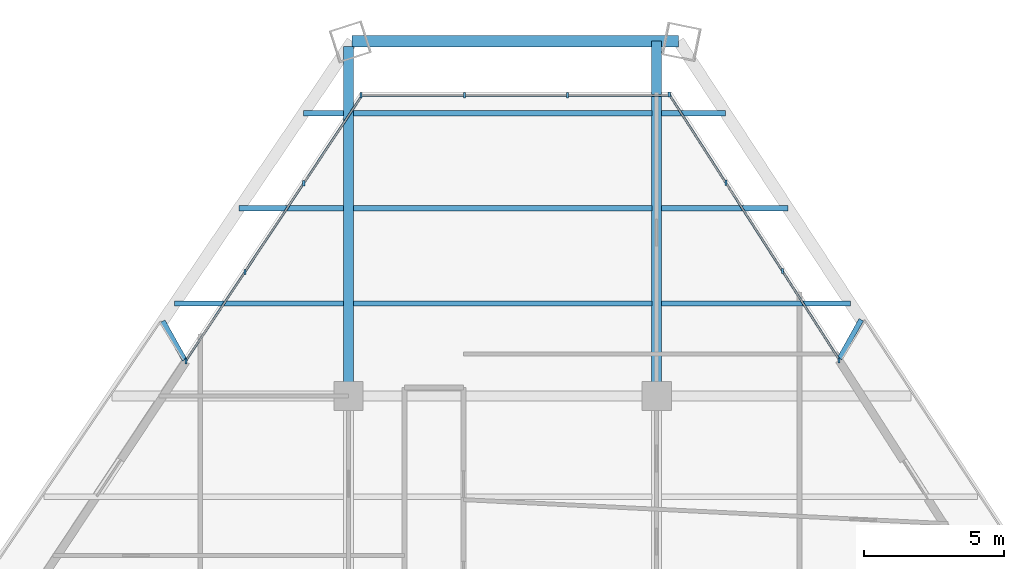
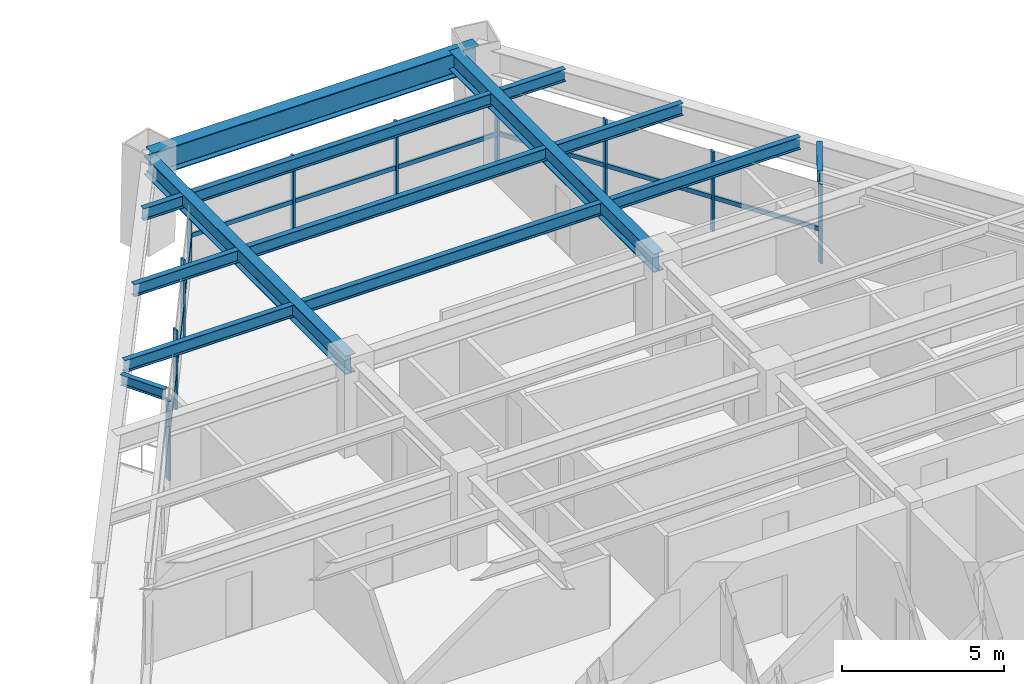
# One storey, part 8 of 14: 20 members, 14 beams, 3 elements without a shape of their own.
"""IFC4 building model written with IfcOpenShell, lengths in metres."""

import ifcopenshell
import ifcopenshell.guid

model = None  # the IFC model being written
_history = None  # IfcOwnerHistory: only IFC2X3 demands one
_inside = {}  # id of a spatial element -> (the spatial element, [elements in it])
_under = {}  # id of a project, library or spatial element -> (it, [spatial elements below it])
_declared = {}  # id of a project -> (the project, [libraries it declares])
_typed = {}  # id of a type object -> (the type object, [elements of that type])
_made_of = {}  # id of a material, layer set ... -> (it, [elements and type objects made of it])


def new_model(schema):
    """Start an empty IFC model of exactly this schema.

    Asked for "IFC4X3", IfcOpenShell would pick the latest addendum, in which some entities
    have other attributes; the version numbers below select the first issue.
    IFC2X3 requires an IfcOwnerHistory on every rooted entity: one is made here for all.
    """
    global model, _history
    if schema == "IFC4X3":
        model = ifcopenshell.file(schema_version=(4, 3, 0, 0))
    else:
        model = ifcopenshell.file(schema=schema)
    _inside.clear()
    _under.clear()
    _declared.clear()
    _typed.clear()
    _made_of.clear()
    _history = None
    if model.schema == "IFC2X3":
        org = make("IfcOrganization", Name="unknown")
        user = make(
            "IfcPersonAndOrganization",
            ThePerson=make("IfcPerson", FamilyName="unknown"),
            TheOrganization=org,
        )
        app = make(
            "IfcApplication",
            ApplicationDeveloper=org,
            Version="unknown",
            ApplicationFullName="unknown",
            ApplicationIdentifier="unknown",
        )
        _history = make(
            "IfcOwnerHistory",
            OwningUser=user,
            OwningApplication=app,
            ChangeAction="ADDED",
            CreationDate=0,
        )
    return model


def make(cls, **values):
    """One entity of the class cls with the attributes given. An attribute that is None is left unset."""
    return model.create_entity(
        cls, **{name: value for name, value in values.items() if value is not None}
    )


def rooted(cls, **values):
    """An entity with a GlobalId (a new one), such as an element, a storey or a relation."""
    return make(cls, GlobalId=ifcopenshell.guid.new(), OwnerHistory=_history, **values)


def si_unit(unit_type, name, prefix=None):
    """IfcSIUnit, for example si_unit("LENGTHUNIT", "METRE", prefix="MILLI")."""
    return make("IfcSIUnit", UnitType=unit_type, Prefix=prefix, Name=name)


def assignment(units):
    """IfcUnitAssignment: the units of a project."""
    return None if units is None else make("IfcUnitAssignment", Units=units)


def point(xyz):
    """IfcCartesianPoint."""
    return None if xyz is None else make("IfcCartesianPoint", Coordinates=xyz)


def direction(xyz):
    """IfcDirection."""
    return None if xyz is None else make("IfcDirection", DirectionRatios=xyz)


def frame(location, z_axis=None, x_axis=None):
    """IfcAxis2Placement3D, a coordinate frame: its origin and axes. An axis left out is left unset."""
    return make(
        "IfcAxis2Placement3D",
        Location=point(location),
        Axis=direction(z_axis),
        RefDirection=direction(x_axis),
    )


def frame_2d(location, x_axis=None):
    """IfcAxis2Placement2D, a coordinate frame in the plane: its origin and x axis."""
    return make(
        "IfcAxis2Placement2D", Location=point(location), RefDirection=direction(x_axis)
    )


def origin():
    """The frame at (0, 0, 0) with its axes left unset."""
    return frame((0.0, 0.0, 0.0))


def origin_2d():
    """The frame at (0, 0) in the plane with its x axis left unset."""
    return frame_2d((0.0, 0.0))


def place(relative_to, where):
    """IfcLocalPlacement: puts the frame where relative to a parent placement (None: the world)."""
    return make(
        "IfcLocalPlacement", PlacementRelTo=relative_to, RelativePlacement=where
    )


def context(
    kind, dimensions, precision=None, world=None, true_north=None, identifier=None
):
    """IfcGeometricRepresentationContext, for example the 3D "Model" context."""
    return make(
        "IfcGeometricRepresentationContext",
        ContextIdentifier=identifier,
        ContextType=kind,
        CoordinateSpaceDimension=dimensions,
        Precision=precision,
        WorldCoordinateSystem=world,
        TrueNorth=true_north,
    )


def subcontext(parent, identifier, kind, view, scale=None):
    """IfcGeometricRepresentationSubContext, for example "Body" below "Model"."""
    return make(
        "IfcGeometricRepresentationSubContext",
        ContextIdentifier=identifier,
        ContextType=kind,
        ParentContext=parent,
        TargetScale=scale,
        TargetView=view,
    )


def project(units=None, contexts=None):
    """IfcProject with its units and contexts."""
    return rooted(
        "IfcProject",
        Name="project",
        RepresentationContexts=contexts,
        UnitsInContext=assignment(units),
    )


def spatial(cls, under=None, at=None, **own):
    """A site, building, storey or space (cls), placed at a placement, below another one or the project."""
    s = rooted(cls, ObjectPlacement=at, **own)
    if under is not None:
        _under.setdefault(under.id(), (under, []))[1].append(s)
    return s


def profile(cls, at=None, kind="AREA", **sizes):
    """A parametric profile (cls). Its sizes go by their IFC names, for example OverallWidth=200.0."""
    return make(cls, ProfileType=kind, Position=at, **sizes)


def rectangle(**sizes):
    """IfcRectangleProfileDef."""
    return profile("IfcRectangleProfileDef", **sizes)


def i_section(**sizes):
    """IfcIShapeProfileDef."""
    return profile("IfcIShapeProfileDef", **sizes)


def extrude(swept, where, along, depth):
    """IfcExtrudedAreaSolid: the profile swept, set in the frame where, extruded along a direction by depth."""
    return make(
        "IfcExtrudedAreaSolid",
        SweptArea=swept,
        Position=where,
        ExtrudedDirection=direction(along),
        Depth=depth,
    )


def shape(context_of_items, identifier, shape_type, items):
    """IfcShapeRepresentation: the items that make up one representation, for example the "Body"."""
    return make(
        "IfcShapeRepresentation",
        ContextOfItems=context_of_items,
        RepresentationIdentifier=identifier,
        RepresentationType=shape_type,
        Items=items,
    )


def source(mapping_origin, context_of_items, identifier, shape_type, items):
    """IfcRepresentationMap: a shape defined once, which mapped items show again and again."""
    return make(
        "IfcRepresentationMap",
        MappingOrigin=mapping_origin,
        MappedRepresentation=shape(context_of_items, identifier, shape_type, items),
    )


def transform(
    local_origin,
    x_axis=None,
    y_axis=None,
    z_axis=None,
    scale=None,
    scale2=None,
    scale3=None,
    uniform=True,
):
    """IfcCartesianTransformationOperator3D, or its non-uniform kind. x_axis, y_axis, z_axis: its Axis1, 2, 3."""
    if uniform:
        return make(
            "IfcCartesianTransformationOperator3D",
            Axis1=direction(x_axis),
            Axis2=direction(y_axis),
            LocalOrigin=point(local_origin),
            Scale=scale,
            Axis3=direction(z_axis),
        )
    return make(
        "IfcCartesianTransformationOperator3DnonUniform",
        Axis1=direction(x_axis),
        Axis2=direction(y_axis),
        LocalOrigin=point(local_origin),
        Scale=scale,
        Axis3=direction(z_axis),
        Scale2=scale2,
        Scale3=scale3,
    )


def mapped(mapping_source, mapping_target):
    """IfcMappedItem: shows the shape of a source again, moved by a transform."""
    return make(
        "IfcMappedItem", MappingSource=mapping_source, MappingTarget=mapping_target
    )


def material(Name=None, Category=None):
    """IfcMaterial."""
    return make("IfcMaterial", Name=Name, Category=Category)


def material_profile(
    of_material, cross_section, Name=None, Category=None, Priority=None
):
    """IfcMaterialProfile: a cross section and its material."""
    return make(
        "IfcMaterialProfile",
        Name=Name,
        Material=of_material,
        Profile=cross_section,
        Priority=Priority,
        Category=Category,
    )


def profile_set(profiles, Name=None, composite=None):
    """IfcMaterialProfileSet."""
    return make(
        "IfcMaterialProfileSet",
        Name=Name,
        MaterialProfiles=profiles,
        CompositeProfile=composite,
    )


def made_of(thing, what):
    """Note that an element or type object is made of a material, layer set ...; save() writes the relation."""
    if what is not None:
        _made_of.setdefault(what.id(), (what, []))[1].append(thing)
    return thing


def type_object(cls, material=None, **own):
    """A type object (cls), such as IfcWallType, which elements share."""
    return made_of(rooted(cls, **own), material)


def element(
    cls,
    number,
    at=None,
    inside=None,
    cuts=None,
    type_object=None,
    material=None,
    context=None,
    identifier="Body",
    shape_type=None,
    held_by="IfcProductDefinitionShape",
    body=None,
    shapes=None,
    **own,
):
    """One element of the class cls, such as IfcWall. Its Tag is "e" and its number.

    at: its placement. inside: the storey or other place that contains it. cuts: it is an
    opening in that element (IfcRelVoidsElement). A single representation is given by context,
    identifier, shape_type and body (its items); several are given by shapes. held_by: the class
    of the entity that holds the representations. save() writes the other relations.
    """
    e = rooted(cls, Tag="e%d" % number, ObjectPlacement=at, **own)
    if body is not None:
        shapes = [shape(context, identifier, shape_type, body)]
    if shapes is not None:
        e.Representation = make(held_by, Representations=shapes)
    if inside is not None:
        _inside.setdefault(inside.id(), (inside, []))[1].append(e)
    if cuts is not None:
        rooted(
            "IfcRelVoidsElement", RelatingBuildingElement=cuts, RelatedOpeningElement=e
        )
    if type_object is not None:
        _typed.setdefault(type_object.id(), (type_object, []))[1].append(e)
    return made_of(e, material)


def aggregate(whole, parts):
    """IfcRelAggregates: a whole, such as a stair, and the parts it consists of."""
    return rooted("IfcRelAggregates", RelatingObject=whole, RelatedObjects=parts)


def save(model, path):
    """Write the relations noted so far, then the file.

    IfcRelAggregates (storeys below a building ...), IfcRelContainedInSpatialStructure (elements
    in a storey), IfcRelDefinesByType, IfcRelAssociatesMaterial and IfcRelDeclares: one each for
    every whole, place, type object, material and project.
    """
    for whole, parts in _under.values():
        aggregate(whole, parts)
    for where, things in _inside.values():
        rooted(
            "IfcRelContainedInSpatialStructure",
            RelatedElements=things,
            RelatingStructure=where,
        )
    for kind, things in _typed.values():
        rooted("IfcRelDefinesByType", RelatedObjects=things, RelatingType=kind)
    for what, things in _made_of.values():
        rooted("IfcRelAssociatesMaterial", RelatedObjects=things, RelatingMaterial=what)
    for by, libraries in _declared.values():
        rooted("IfcRelDeclares", RelatingContext=by, RelatedDefinitions=libraries)
    model.write(path)


model = new_model("IFC4")

# Units and contexts
model_context = context("Model", 3, precision=1e-05, world=origin(), true_north=direction((0.0, 1.0)))
body_context = subcontext(model_context, "Body", "Model", "MODEL_VIEW")
ifc_project = project(units=[si_unit("LENGTHUNIT", "METRE"), si_unit("AREAUNIT", "SQUARE_METRE"), si_unit("VOLUMEUNIT", "CUBIC_METRE"), si_unit("PLANEANGLEUNIT", "RADIAN"), si_unit("MASSUNIT", "GRAM", prefix="KILO")], contexts=[model_context])

# Site, building, storey
site_placement = place(None, origin())
site = spatial("IfcSite", under=ifc_project, at=site_placement, CompositionType="ELEMENT")
building_placement = place(site_placement, origin())
building = spatial("IfcBuilding", under=site, at=building_placement, Name="Varnakhor Terracotta Tower", CompositionType="ELEMENT")
storey_placement = place(building_placement, frame((0.0, 0.0, 117.300048828125)))
storey = spatial("IfcBuildingStorey", under=building, at=storey_placement, Name="L29", CompositionType="ELEMENT", Elevation=117.300048828125)

# Beams
ifc_material_1 = material(Name="Steel S355", Category="steel")
ifc_material_profile_1 = material_profile(ifc_material_1, i_section(OverallWidth=0.19189453125, OverallDepth=0.462890625, WebThickness=0.010498046875, FlangeThickness=0.017578125, FilletRadius=0.01806640625, at=origin_2d()), Name="W18X60")
ifc_profile_set_1 = profile_set([ifc_material_profile_1], Name="Steel S355")
beam_type_1 = type_object("IfcBeamType", Name="JST-W18X60", PredefinedType="JOIST", material=ifc_profile_set_1)
shared_shape_1 = source(origin(), body_context, "Body", "SweptSolid", [
    extrude(i_section(OverallWidth=0.19189453125, OverallDepth=0.462890625, WebThickness=0.010498046875, FlangeThickness=0.017578125, FilletRadius=0.01806640625, at=origin_2d()), origin(), (0.0, 0.0, 1.0), 10.65283203125),
])
for number, where, z_axis, x_axis, name in (
    (1, (-5.326416015625, 34.800048828125, 3.1884765625), (1.0, 0.0, 0.0), (0.0, 1.0, 0.0), "L29 Composite Floor Joist 7-2"),
    (2, (-5.326416015625, 38.199951171875, 3.1884765625), (1.0, 0.0, 0.0), (0.0, 1.0, 0.0), "L29 Composite Floor Joist 8-2"),
    (3, (-5.326416015625, 41.60009765625, 3.1884765625), (1.0, 0.0, 0.0), (0.0, 1.0, 0.0), "L29 Composite Floor Joist 9-2"),
):
    element("IfcBeam", number, at=place(storey_placement, frame(where, z_axis=z_axis, x_axis=x_axis)), inside=storey, type_object=beam_type_1, Name=name, PredefinedType="JOIST", context=body_context, shape_type="MappedRepresentation", body=[
        mapped(shared_shape_1, transform((0.0, 0.0, 0.0), scale=1.0)),
    ])
ifc_material_profile_2 = material_profile(ifc_material_1, i_section(OverallWidth=0.41796875, OverallDepth=0.927001953125, WebThickness=0.01904296875, FlangeThickness=0.031982421875, FilletRadius=0.01806640625, at=origin_2d()), Name="W36X231")
ifc_profile_set_2 = profile_set([ifc_material_profile_2], Name="Steel S355")
beam_type_2 = type_object("IfcBeamType", Name="BM-W36X231", PredefinedType="BEAM", material=ifc_profile_set_2)
shared_shape_2 = source(origin(), body_context, "Body", "SweptSolid", [
    extrude(i_section(OverallWidth=0.41796875, OverallDepth=0.927001953125, WebThickness=0.01904296875, FlangeThickness=0.031982421875, FilletRadius=0.01806640625, at=origin_2d()), origin(), (0.0, 0.0, 1.0), 11.653076171875),
])
beam_1_placement = place(storey_placement, frame((6.2802734375, 44.16796875, 2.95654296875), z_axis=(-1.0, 0.0, 0.0), x_axis=(0.0, -1.0, 0.0)))
element("IfcBeam", 4, at=beam_1_placement, inside=storey, type_object=beam_type_2, Name="L29 Perimeter Spandrel 5", PredefinedType="BEAM", context=body_context, shape_type="MappedRepresentation", body=[
    mapped(shared_shape_2, transform((0.0, 0.0, 0.0), scale=1.0)),
])
ifc_material_profile_3 = material_profile(ifc_material_1, i_section(OverallWidth=0.35498046875, OverallDepth=0.695068359375, WebThickness=0.014892578125, FlangeThickness=0.02490234375, FilletRadius=0.01806640625, at=origin_2d()), Name="W27X146")
ifc_profile_set_3 = profile_set([ifc_material_profile_3], Name="Steel S355")
beam_type_3 = type_object("IfcBeamType", Name="BM-W27X146", PredefinedType="BEAM", material=ifc_profile_set_3)
shared_shape_3 = source(origin(), body_context, "Body", "SweptSolid", [
    extrude(i_section(OverallWidth=0.35498046875, OverallDepth=0.695068359375, WebThickness=0.014892578125, FlangeThickness=0.02490234375, FilletRadius=0.01806640625, at=origin_2d()), origin(), (0.0, 0.0, 1.0), 12.479736328125),
])
beam_2_placement = place(storey_placement, frame((-5.5, 31.5, 3.072509765625), z_axis=(0.0, 1.0, 0.0), x_axis=(-1.0, 0.0, 0.0)))
element("IfcBeam", 5, at=beam_2_placement, inside=storey, type_object=beam_type_3, Name="L29 Primary Girder NS3-W", PredefinedType="BEAM", context=body_context, shape_type="MappedRepresentation", body=[
    mapped(shared_shape_3, transform((0.0, 0.0, 0.0), scale=1.0)),
])
shared_shape_4 = source(origin(), body_context, "Body", "SweptSolid", [
    extrude(i_section(OverallWidth=0.35498046875, OverallDepth=0.695068359375, WebThickness=0.014892578125, FlangeThickness=0.02490234375, FilletRadius=0.01806640625, at=origin_2d()), origin(), (0.0, 0.0, 1.0), 12.66796875),
])
beam_3_placement = place(storey_placement, frame((5.5, 31.5, 3.072509765625), z_axis=(0.0, 1.0, 0.0), x_axis=(-1.0, 0.0, 0.0)))
element("IfcBeam", 6, at=beam_3_placement, inside=storey, type_object=beam_type_3, Name="L29 Primary Girder NS3-E", PredefinedType="BEAM", context=body_context, shape_type="MappedRepresentation", body=[
    mapped(shared_shape_4, transform((0.0, 0.0, 0.0), scale=1.0)),
])
shared_shape_5 = source(origin(), body_context, "Body", "SweptSolid", [
    extrude(i_section(OverallWidth=0.19189453125, OverallDepth=0.462890625, WebThickness=0.010498046875, FlangeThickness=0.017578125, FilletRadius=0.01806640625, at=origin_2d()), origin(), (0.0, 0.0, 1.0), 6.034423828125),
])
beam_4_placement = place(storey_placement, frame((-11.7080078125, 34.800048828125, 3.1884765625), z_axis=(1.0, 0.0, 0.0), x_axis=(0.0, 1.0, 0.0)))
element("IfcBeam", 7, at=beam_4_placement, inside=storey, type_object=beam_type_1, Name="L29 Composite Floor Joist 7-1", PredefinedType="JOIST", context=body_context, shape_type="MappedRepresentation", body=[
    mapped(shared_shape_5, transform((0.0, 0.0, 0.0), scale=1.0)),
])
shared_shape_6 = source(origin(), body_context, "Body", "SweptSolid", [
    extrude(i_section(OverallWidth=0.19189453125, OverallDepth=0.462890625, WebThickness=0.010498046875, FlangeThickness=0.017578125, FilletRadius=0.01806640625, at=origin_2d()), origin(), (0.0, 0.0, 1.0), 6.74951171875),
])
beam_5_placement = place(storey_placement, frame((5.673583984375, 34.800048828125, 3.1884765625), z_axis=(1.0, 0.0, 0.0), x_axis=(0.0, 1.0, 0.0)))
element("IfcBeam", 8, at=beam_5_placement, inside=storey, type_object=beam_type_1, Name="L29 Composite Floor Joist 7-3", PredefinedType="JOIST", context=body_context, shape_type="MappedRepresentation", body=[
    mapped(shared_shape_6, transform((0.0, 0.0, 0.0), scale=1.0)),
])
shared_shape_7 = source(origin(), body_context, "Body", "SweptSolid", [
    extrude(i_section(OverallWidth=0.19189453125, OverallDepth=0.462890625, WebThickness=0.010498046875, FlangeThickness=0.017578125, FilletRadius=0.01806640625, at=origin_2d()), origin(), (0.0, 0.0, 1.0), 3.735107421875),
])
beam_6_placement = place(storey_placement, frame((-9.40869140625, 38.199951171875, 3.1884765625), z_axis=(1.0, 0.0, 0.0), x_axis=(0.0, 1.0, 0.0)))
element("IfcBeam", 9, at=beam_6_placement, inside=storey, type_object=beam_type_1, Name="L29 Composite Floor Joist 8-1", PredefinedType="JOIST", context=body_context, shape_type="MappedRepresentation", body=[
    mapped(shared_shape_7, transform((0.0, 0.0, 0.0), scale=1.0)),
])
shared_shape_8 = source(origin(), body_context, "Body", "SweptSolid", [
    extrude(i_section(OverallWidth=0.19189453125, OverallDepth=0.462890625, WebThickness=0.010498046875, FlangeThickness=0.017578125, FilletRadius=0.01806640625, at=origin_2d()), origin(), (0.0, 0.0, 1.0), 4.52001953125),
])
beam_7_placement = place(storey_placement, frame((5.673583984375, 38.199951171875, 3.1884765625), z_axis=(1.0, 0.0, 0.0), x_axis=(0.0, 1.0, 0.0)))
element("IfcBeam", 10, at=beam_7_placement, inside=storey, type_object=beam_type_1, Name="L29 Composite Floor Joist 8-3", PredefinedType="JOIST", context=body_context, shape_type="MappedRepresentation", body=[
    mapped(shared_shape_8, transform((0.0, 0.0, 0.0), scale=1.0)),
])
shared_shape_9 = source(origin(), body_context, "Body", "SweptSolid", [
    extrude(i_section(OverallWidth=0.19189453125, OverallDepth=0.462890625, WebThickness=0.010498046875, FlangeThickness=0.017578125, FilletRadius=0.01806640625, at=origin_2d()), origin(), (0.0, 0.0, 1.0), 1.435791015625),
])
beam_8_placement = place(storey_placement, frame((-7.109375, 41.60009765625, 3.1884765625), z_axis=(1.0, 0.0, 0.0), x_axis=(0.0, 1.0, 0.0)))
element("IfcBeam", 11, at=beam_8_placement, inside=storey, type_object=beam_type_1, Name="L29 Composite Floor Joist 9-1", PredefinedType="JOIST", context=body_context, shape_type="MappedRepresentation", body=[
    mapped(shared_shape_9, transform((0.0, 0.0, 0.0), scale=1.0)),
])
shared_shape_10 = source(origin(), body_context, "Body", "SweptSolid", [
    extrude(i_section(OverallWidth=0.19189453125, OverallDepth=0.462890625, WebThickness=0.010498046875, FlangeThickness=0.017578125, FilletRadius=0.01806640625, at=origin_2d()), origin(), (0.0, 0.0, 1.0), 2.29052734375),
])
beam_9_placement = place(storey_placement, frame((5.673583984375, 41.60009765625, 3.1884765625), z_axis=(1.0, 0.0, 0.0), x_axis=(0.0, 1.0, 0.0)))
element("IfcBeam", 12, at=beam_9_placement, inside=storey, type_object=beam_type_1, Name="L29 Composite Floor Joist 9-3", PredefinedType="JOIST", context=body_context, shape_type="MappedRepresentation", body=[
    mapped(shared_shape_10, transform((0.0, 0.0, 0.0), scale=1.0)),
])

# Curtain wall, members
ifc_material_2 = material(Name="Anodised Aluminium Curtain Wall System", Category="aluminium")
curtain_wall_type = type_object("IfcCurtainWallType", Name="CW-SYS-LOW-OFFICE", PredefinedType="NOTDEFINED", material=ifc_material_2)
curtain_wall_1_placement = place(storey_placement, origin())
curtain_wall_1 = element("IfcCurtainWall", 13, at=curtain_wall_1_placement, inside=storey, type_object=curtain_wall_type, Name="L29 W Facet Curtain Wall 2", PredefinedType="NOTDEFINED")
ifc_material_3 = material(Name="Anodised Aluminium 6063-T6", Category="aluminium")
ifc_material_profile_4 = material_profile(ifc_material_3, rectangle(XDim=0.074951171875, YDim=0.18505859375, at=origin_2d()), Name="ALU MULLION 75x185")
ifc_profile_set_4 = profile_set([ifc_material_profile_4], Name="Anodised Aluminium 6063-T6")
member_type_1 = type_object("IfcMemberType", Name="CWM-02", PredefinedType="MULLION", material=ifc_profile_set_4)
shared_shape_11 = source(origin(), body_context, "Body", "SweptSolid", [
    extrude(rectangle(XDim=0.074951171875, YDim=0.18505859375, at=origin_2d()), origin(), (0.0, 0.0, 1.0), 3.0),
])
member_1_placement = place(storey_placement, frame((-11.2998046875, 32.7626953125, 0.0), z_axis=(0.0, 0.0, 1.0), x_axis=(1.0, 0.0, 0.0)))
member_1 = element("IfcMember", 14, at=member_1_placement, type_object=member_type_1, Name="L29 W Facet Curtain Wall 2 Mullion 1", PredefinedType="MULLION", context=body_context, shape_type="MappedRepresentation", body=[
    mapped(shared_shape_11, transform((0.0, 0.0, 0.0), scale=1.0)),
])
member_2_placement = place(storey_placement, frame((-9.19921875, 35.92919921875, 0.0), z_axis=(0.0, 0.0, 1.0), x_axis=(1.0, 0.0, 0.0)))
member_2 = element("IfcMember", 15, at=member_2_placement, type_object=member_type_1, Name="L29 W Facet Curtain Wall 2 Mullion 2", PredefinedType="MULLION", context=body_context, shape_type="MappedRepresentation", body=[
    mapped(shared_shape_11, transform((0.0, 0.0, 0.0), scale=1.0)),
])
member_3_placement = place(storey_placement, frame((-7.098388671875, 39.095703125, 0.0), z_axis=(0.0, 0.0, 1.0), x_axis=(1.0, 0.0, 0.0)))
member_3 = element("IfcMember", 16, at=member_3_placement, type_object=member_type_1, Name="L29 W Facet Curtain Wall 2 Mullion 3", PredefinedType="MULLION", context=body_context, shape_type="MappedRepresentation", body=[
    mapped(shared_shape_11, transform((0.0, 0.0, 0.0), scale=1.0)),
])
member_4_placement = place(storey_placement, frame((-11.2998046875, 32.7265625, 0.0), z_axis=(0.0, 0.0, 1.0), x_axis=(1.0, 0.0, 0.0)))
member_4 = element("IfcMember", 17, at=member_4_placement, type_object=member_type_1, Name="L29 W Loggia Jamb Closure Mullion 2", PredefinedType="MULLION", context=body_context, shape_type="MappedRepresentation", body=[
    mapped(shared_shape_11, transform((0.0, 0.0, 0.0), scale=1.0)),
])

curtain_wall_2_placement = place(storey_placement, origin())
curtain_wall_2 = element("IfcCurtainWall", 18, at=curtain_wall_2_placement, inside=storey, type_object=curtain_wall_type, Name="L29 Facet Curtain Wall 2", PredefinedType="NOTDEFINED")
member_5_placement = place(storey_placement, frame((-5.051025390625, 42.2333984375, 0.0), z_axis=(0.0, 0.0, 1.0), x_axis=(1.0, 0.0, 0.0)))
member_5 = element("IfcMember", 19, at=member_5_placement, type_object=member_type_1, Name="L29 Facet Curtain Wall 2 Mullion 1", PredefinedType="MULLION", context=body_context, shape_type="MappedRepresentation", body=[
    mapped(shared_shape_11, transform((0.0, 0.0, 0.0), scale=1.0)),
])
member_6_placement = place(storey_placement, frame((-1.3662109375, 42.2333984375, 0.0), z_axis=(0.0, 0.0, 1.0), x_axis=(1.0, 0.0, 0.0)))
member_6 = element("IfcMember", 20, at=member_6_placement, type_object=member_type_1, Name="L29 Facet Curtain Wall 2 Mullion 2", PredefinedType="MULLION", context=body_context, shape_type="MappedRepresentation", body=[
    mapped(shared_shape_11, transform((0.0, 0.0, 0.0), scale=1.0)),
])
member_7_placement = place(storey_placement, frame((2.318603515625, 42.2333984375, 0.0), z_axis=(0.0, 0.0, 1.0), x_axis=(1.0, 0.0, 0.0)))
member_7 = element("IfcMember", 21, at=member_7_placement, type_object=member_type_1, Name="L29 Facet Curtain Wall 2 Mullion 3", PredefinedType="MULLION", context=body_context, shape_type="MappedRepresentation", body=[
    mapped(shared_shape_11, transform((0.0, 0.0, 0.0), scale=1.0)),
])

curtain_wall_3_placement = place(storey_placement, origin())
curtain_wall_3 = element("IfcCurtainWall", 22, at=curtain_wall_3_placement, inside=storey, type_object=curtain_wall_type, Name="L29 E Facet Curtain Wall 1", PredefinedType="NOTDEFINED")
member_8_placement = place(storey_placement, frame((5.948486328125, 42.263427734375, 0.0), z_axis=(0.0, 0.0, 1.0), x_axis=(1.0, 0.0, 0.0)))
member_8 = element("IfcMember", 23, at=member_8_placement, type_object=member_type_1, Name="L29 E Facet Curtain Wall 1 Mullion 1", PredefinedType="MULLION", context=body_context, shape_type="MappedRepresentation", body=[
    mapped(shared_shape_11, transform((0.0, 0.0, 0.0), scale=1.0)),
])
member_9_placement = place(storey_placement, frame((7.968505859375, 39.11181640625, 0.0), z_axis=(0.0, 0.0, 1.0), x_axis=(1.0, 0.0, 0.0)))
member_9 = element("IfcMember", 24, at=member_9_placement, type_object=member_type_1, Name="L29 E Facet Curtain Wall 1 Mullion 2", PredefinedType="MULLION", context=body_context, shape_type="MappedRepresentation", body=[
    mapped(shared_shape_11, transform((0.0, 0.0, 0.0), scale=1.0)),
])
member_10_placement = place(storey_placement, frame((9.988525390625, 35.960205078125, 0.0), z_axis=(0.0, 0.0, 1.0), x_axis=(1.0, 0.0, 0.0)))
member_10 = element("IfcMember", 25, at=member_10_placement, type_object=member_type_1, Name="L29 E Facet Curtain Wall 1 Mullion 3", PredefinedType="MULLION", context=body_context, shape_type="MappedRepresentation", body=[
    mapped(shared_shape_11, transform((0.0, 0.0, 0.0), scale=1.0)),
])
member_11_placement = place(storey_placement, frame((12.008056640625, 32.7724609375, 0.0), z_axis=(0.0, 0.0, 1.0), x_axis=(1.0, 0.0, 0.0)))
member_11 = element("IfcMember", 26, at=member_11_placement, type_object=member_type_1, Name="L29 E Loggia Jamb Closure Mullion 1", PredefinedType="MULLION", context=body_context, shape_type="MappedRepresentation", body=[
    mapped(shared_shape_11, transform((0.0, 0.0, 0.0), scale=1.0)),
])

# Member
ifc_material_profile_5 = material_profile(ifc_material_3, rectangle(XDim=0.074951171875, YDim=0.1650390625, at=origin_2d()), Name="ALU TRANSOM 75x165")
ifc_profile_set_5 = profile_set([ifc_material_profile_5], Name="Anodised Aluminium 6063-T6")
member_type_2 = type_object("IfcMemberType", Name="CWT-02", PredefinedType="USERDEFINED", material=ifc_profile_set_5)
shared_shape_12 = source(origin(), body_context, "Body", "SweptSolid", [
    extrude(rectangle(XDim=0.074951171875, YDim=0.1650390625, at=origin_2d()), origin(), (0.0, 0.0, 1.0), 3.800048828125),
])
member_12_placement = place(storey_placement, frame((-9.19921875, 35.92919921875, 1.260009765625), z_axis=(0.552845541046, 0.833283749839, 0.0), x_axis=(-0.833283749839, 0.552845541046, 0.0)))
member_12 = element("IfcMember", 27, at=member_12_placement, type_object=member_type_2, Name="L29 W Facet Curtain Wall 2 Transom 2", ObjectType="TRANSOM", PredefinedType="USERDEFINED", context=body_context, shape_type="MappedRepresentation", body=[
    mapped(shared_shape_12, transform((0.0, 0.0, 0.0), scale=1.0)),
])

shared_shape_13 = source(origin(), body_context, "Body", "SweptSolid", [
    extrude(rectangle(XDim=0.074951171875, YDim=0.1650390625, at=origin_2d()), origin(), (0.0, 0.0, 1.0), 3.7998046875),
])
member_13_placement = place(storey_placement, frame((-11.2998046875, 32.7626953125, 1.260009765625), z_axis=(0.552800927997, 0.83331334683, 0.0), x_axis=(-0.83331334683, 0.552800927997, 0.0)))
member_13 = element("IfcMember", 28, at=member_13_placement, type_object=member_type_2, Name="L29 W Facet Curtain Wall 2 Transom 1", ObjectType="TRANSOM", PredefinedType="USERDEFINED", context=body_context, shape_type="MappedRepresentation", body=[
    mapped(shared_shape_13, transform((0.0, 0.0, 0.0), scale=1.0)),
])

member_14_placement = place(storey_placement, frame((-7.098388671875, 39.095703125, 1.260009765625), z_axis=(0.552800927997, 0.83331334683, 0.0), x_axis=(-0.83331334683, 0.552800927997, 0.0)))
member_14 = element("IfcMember", 29, at=member_14_placement, type_object=member_type_2, Name="L29 W Facet Curtain Wall 2 Transom 3", ObjectType="TRANSOM", PredefinedType="USERDEFINED", context=body_context, shape_type="MappedRepresentation", body=[
    mapped(shared_shape_13, transform((0.0, 0.0, 0.0), scale=1.0)),
])

aggregate(curtain_wall_1, [member_1, member_13, member_2, member_12, member_3, member_14, member_4])

shared_shape_14 = source(origin(), body_context, "Body", "SweptSolid", [
    extrude(rectangle(XDim=0.074951171875, YDim=0.1650390625, at=origin_2d()), origin(), (0.0, 0.0, 1.0), 3.684814453125),
])
member_15_placement = place(storey_placement, frame((-5.051025390625, 42.2333984375, 1.260009765625), z_axis=(1.0, 0.0, 0.0), x_axis=(0.0, 1.0, 0.0)))
member_15 = element("IfcMember", 30, at=member_15_placement, type_object=member_type_2, Name="L29 Facet Curtain Wall 2 Transom 1", ObjectType="TRANSOM", PredefinedType="USERDEFINED", context=body_context, shape_type="MappedRepresentation", body=[
    mapped(shared_shape_14, transform((0.0, 0.0, 0.0), scale=1.0)),
])

member_16_placement = place(storey_placement, frame((-1.3662109375, 42.2333984375, 1.260009765625), z_axis=(1.0, 0.0, 0.0), x_axis=(0.0, 1.0, 0.0)))
member_16 = element("IfcMember", 31, at=member_16_placement, type_object=member_type_2, Name="L29 Facet Curtain Wall 2 Transom 2", ObjectType="TRANSOM", PredefinedType="USERDEFINED", context=body_context, shape_type="MappedRepresentation", body=[
    mapped(shared_shape_14, transform((0.0, 0.0, 0.0), scale=1.0)),
])

member_17_placement = place(storey_placement, frame((2.318603515625, 42.2333984375, 1.260009765625), z_axis=(1.0, 0.0, 0.0), x_axis=(0.0, 1.0, 0.0)))
member_17 = element("IfcMember", 32, at=member_17_placement, type_object=member_type_2, Name="L29 Facet Curtain Wall 2 Transom 3", ObjectType="TRANSOM", PredefinedType="USERDEFINED", context=body_context, shape_type="MappedRepresentation", body=[
    mapped(shared_shape_14, transform((0.0, 0.0, 0.0), scale=1.0)),
])

aggregate(curtain_wall_2, [member_5, member_15, member_6, member_16, member_7, member_17])

shared_shape_15 = source(origin(), body_context, "Body", "SweptSolid", [
    extrude(rectangle(XDim=0.074951171875, YDim=0.1650390625, at=origin_2d()), origin(), (0.0, 0.0, 1.0), 3.743408203125),
])
member_18_placement = place(storey_placement, frame((5.948486328125, 42.263427734375, 1.260009765625), z_axis=(0.539619889438, -0.841908768765, 0.0), x_axis=(0.841908768765, 0.539619889438, 0.0)))
member_18 = element("IfcMember", 33, at=member_18_placement, type_object=member_type_2, Name="L29 E Facet Curtain Wall 1 Transom 1", ObjectType="TRANSOM", PredefinedType="USERDEFINED", context=body_context, shape_type="MappedRepresentation", body=[
    mapped(shared_shape_15, transform((0.0, 0.0, 0.0), scale=1.0)),
])

member_19_placement = place(storey_placement, frame((7.968505859375, 39.11181640625, 1.260009765625), z_axis=(0.539619889438, -0.841908768765, 0.0), x_axis=(0.841908768765, 0.539619889438, 0.0)))
member_19 = element("IfcMember", 34, at=member_19_placement, type_object=member_type_2, Name="L29 E Facet Curtain Wall 1 Transom 2", ObjectType="TRANSOM", PredefinedType="USERDEFINED", context=body_context, shape_type="MappedRepresentation", body=[
    mapped(shared_shape_15, transform((0.0, 0.0, 0.0), scale=1.0)),
])

shared_shape_16 = source(origin(), body_context, "Body", "SweptSolid", [
    extrude(rectangle(XDim=0.074951171875, YDim=0.1650390625, at=origin_2d()), origin(), (0.0, 0.0, 1.0), 3.74365234375),
])
member_20_placement = place(storey_placement, frame((9.988525390625, 35.960205078125, 1.260009765625), z_axis=(0.539590261157, -0.841927758222, 0.0), x_axis=(0.841927758222, 0.539590261157, 0.0)))
member_20 = element("IfcMember", 35, at=member_20_placement, type_object=member_type_2, Name="L29 E Facet Curtain Wall 1 Transom 3", ObjectType="TRANSOM", PredefinedType="USERDEFINED", context=body_context, shape_type="MappedRepresentation", body=[
    mapped(shared_shape_16, transform((0.0, 0.0, 0.0), scale=1.0)),
])

aggregate(curtain_wall_3, [member_8, member_18, member_9, member_19, member_10, member_20, member_11])

# Beams
ifc_material_profile_6 = material_profile(ifc_material_1, i_section(OverallWidth=0.179931640625, OverallDepth=0.39990234375, WebThickness=0.008544921875, FlangeThickness=0.013427734375, FilletRadius=0.01806640625, at=origin_2d()), Name="IPE400")
ifc_profile_set_6 = profile_set([ifc_material_profile_6], Name="Steel S355")
beam_type_4 = type_object("IfcBeamType", Name="JST-IPE400", PredefinedType="JOIST", material=ifc_profile_set_6)
shared_shape_17 = source(origin(), body_context, "Body", "SweptSolid", [
    extrude(i_section(OverallWidth=0.179931640625, OverallDepth=0.39990234375, WebThickness=0.008544921875, FlangeThickness=0.013427734375, FilletRadius=0.01806640625, at=origin_2d()), origin(), (0.0, 0.0, 1.0), 1.59228515625),
])
beam_10_placement = place(storey_placement, frame((-11.352294921875, 32.78515625, 3.219970703125), z_axis=(-0.489452936336, 0.872029714581, 0.0), x_axis=(-0.872029714581, -0.489452936336, 0.0)))
element("IfcBeam", 36, at=beam_10_placement, inside=storey, type_object=beam_type_4, Name="L30 W Loggia Tie Beam 2", PredefinedType="JOIST", context=body_context, shape_type="MappedRepresentation", body=[
    mapped(shared_shape_17, transform((0.0, 0.0, 0.0), scale=1.0)),
])
shared_shape_18 = source(origin(), body_context, "Body", "SweptSolid", [
    extrude(i_section(OverallWidth=0.179931640625, OverallDepth=0.39990234375, WebThickness=0.008544921875, FlangeThickness=0.013427734375, FilletRadius=0.01806640625, at=origin_2d()), origin(), (0.0, 0.0, 1.0), 1.593017578125),
])
beam_11_placement = place(storey_placement, frame((12.025146484375, 32.8310546875, 3.219970703125), z_axis=(0.487996536986, 0.872845564742, 0.0), x_axis=(-0.872845564742, 0.487996536986, 0.0)))
element("IfcBeam", 37, at=beam_11_placement, inside=storey, type_object=beam_type_4, Name="L30 E Loggia Tie Beam 1", PredefinedType="JOIST", context=body_context, shape_type="MappedRepresentation", body=[
    mapped(shared_shape_18, transform((0.0, 0.0, 0.0), scale=1.0)),
])

save(model, "model.ifc")
